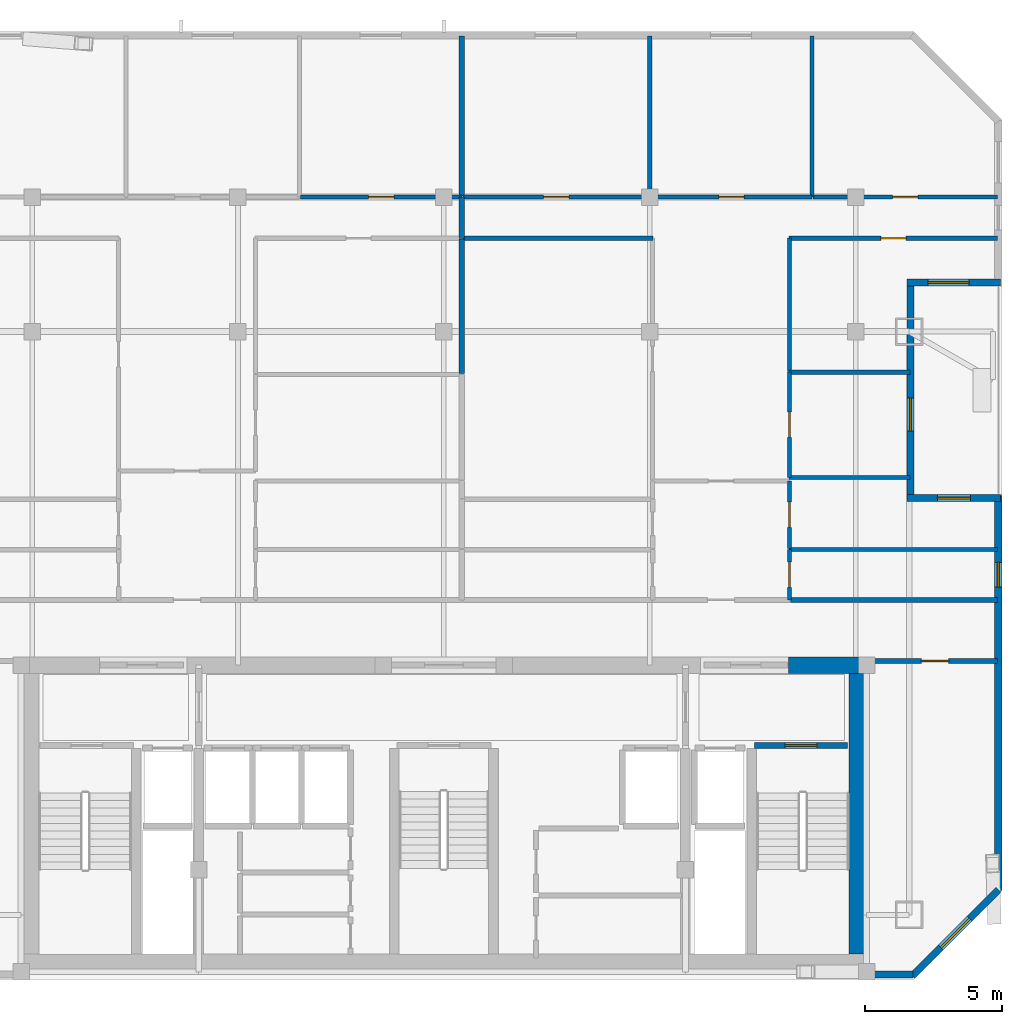
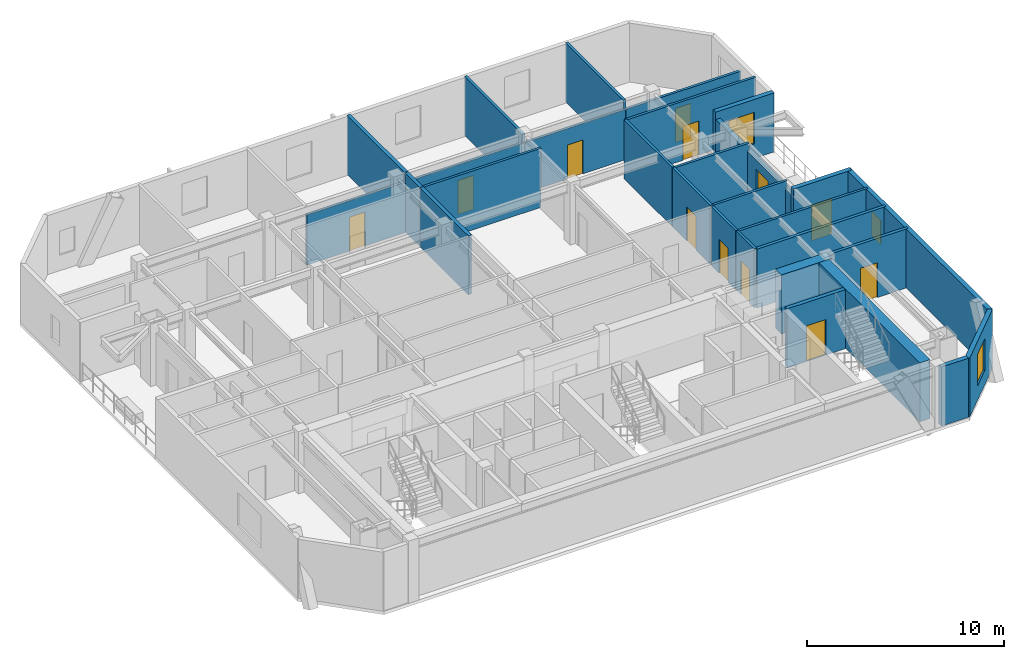
# One storey, part 5 of 8: 29 walls, 11 doors, 4 windows, 15 openings.
"""IFC4 building model written with IfcOpenShell, lengths in metres."""

from ifc_helpers import new_model, si_unit, direction, frame, frame_2d, origin, place, context, subcontext, project, spatial, rectangle, extrude, material, layer, layer_set, type_object, element, fill, save


model = new_model("IFC4")

# Units and contexts
model_context = context("Model", 3, precision=1e-05, world=origin(), true_north=direction((0.0, 1.0)))
body_context = subcontext(model_context, "Body", "Model", "MODEL_VIEW")
ifc_project = project(units=[si_unit("LENGTHUNIT", "METRE"), si_unit("AREAUNIT", "SQUARE_METRE"), si_unit("VOLUMEUNIT", "CUBIC_METRE"), si_unit("PLANEANGLEUNIT", "RADIAN"), si_unit("MASSUNIT", "GRAM", prefix="KILO")], contexts=[model_context])

# Site, building, storey
site_placement = place(None, origin())
site = spatial("IfcSite", under=ifc_project, at=site_placement, CompositionType="ELEMENT")
building_placement = place(site_placement, origin())
building = spatial("IfcBuilding", under=site, at=building_placement, Name="Ventersveld Concourse Tower", CompositionType="ELEMENT")
storey_placement = place(building_placement, frame((0.0, 0.0, 284.89990234375)))
storey = spatial("IfcBuildingStorey", under=building, at=storey_placement, Name="L70", CompositionType="ELEMENT", Elevation=284.89990234375)

# Walls
ifc_material_1 = material(Name="Concrete C50/60", Category="concrete")
ifc_layer_1 = layer(ifc_material_1, 0.60009765625)
ifc_layer_set_1 = layer_set([ifc_layer_1], Name="Concrete C50/60")
wall_type_1 = type_object("IfcWallType", Name="WL-CORE-600", PredefinedType="SHEAR", material=ifc_layer_set_1)
wall_1_placement = place(storey_placement, frame((43.800048828125, 0.919921875, 0.0), z_axis=(0.0, 0.0, 1.0), x_axis=(0.0, 1.0, 0.0)))
element("IfcWall", 1, at=wall_1_placement, inside=storey, type_object=wall_type_1, Name="L70 Rear Core East Shear Wall", PredefinedType="SHEAR", context=body_context, shape_type="SweptSolid", body=[
    extrude(rectangle(XDim=10.530029296875, YDim=0.60009765625, at=frame_2d((5.26513671875, 0.0))), origin(), (0.0, 0.0, 1.0), 3.650146484375),
])
wall_2_placement = place(storey_placement, frame((41.300048828125, 11.449951171875, 0.0), z_axis=(0.0, 0.0, 1.0), x_axis=(1.0, 0.0, 0.0)))
element("IfcWall", 2, at=wall_2_placement, inside=storey, type_object=wall_type_1, Name="L70 Rear Core North Shear Wall NE", PredefinedType="SHEAR", context=body_context, shape_type="SweptSolid", body=[
    extrude(rectangle(XDim=2.949951171875, YDim=0.60009765625, at=frame_2d((1.47509765625, 0.0))), origin(), (0.0, 0.0, 1.0), 3.650146484375),
])

# Wall, opening, door
ifc_material_2 = material(Name="Fire-rated autoclaved aerated masonry blockwork", Category="masonry")
ifc_layer_2 = layer(ifc_material_2, 0.179931640625)
ifc_layer_set_2 = layer_set([ifc_layer_2], Name="Fire-rated autoclaved aerated masonry blockwork")
wall_type_2 = type_object("IfcWallType", Name="WL-CORR-180", PredefinedType="PARTITIONING", material=ifc_layer_set_2)
wall_3_placement = place(storey_placement, frame((44.35498046875, 11.60009765625, 0.0), z_axis=(0.0, 0.0, 1.0), x_axis=(1.0, 0.0, 0.0)))
wall_3 = element("IfcWall", 3, at=wall_3_placement, inside=storey, type_object=wall_type_2, Name="L70 Interior Partition SP-L70-SE-OFF-SP-L70-COR", PredefinedType="PARTITIONING", context=body_context, shape_type="SweptSolid", body=[
    extrude(rectangle(XDim=4.5712890625, YDim=0.179931640625, at=frame_2d((2.28564453125, 0.0))), origin(), (0.0, 0.0, 1.0), 3.650146484375),
])
opening_1_placement = place(wall_3_placement, frame((1.78564453125, 0.0, 0.0)))
opening_1 = element("IfcOpeningElement", 4, at=opening_1_placement, cuts=wall_3, Name="Opening FD3", PredefinedType="OPENING", context=body_context, shape_type="SweptSolid", body=[
    extrude(rectangle(XDim=1.0, YDim=2.14990234375, at=frame_2d((0.5, 1.074951171875))), frame((0.0, 0.10009765625, 0.0), z_axis=(0.0, -1.0, 0.0), x_axis=(1.0, 0.0, 0.0)), (0.0, 0.0, 1.0), 0.199951171875),
])
ifc_material_3 = material(Name="Solid-core hardwood veneer timber", Category="wood")
door_type_1 = type_object("IfcDoorType", Name="DR-FLAT-100", OperationType="NOTDEFINED", PredefinedType="DOOR", material=ifc_material_3)
door_1_placement = place(opening_1_placement, origin())
door_1 = element("IfcDoor", 5, at=door_1_placement, inside=storey, type_object=door_type_1, Name="L70 Interior Door SP-L70-SE-OFF to SP-L70-COR (D-L70-3265)", OperationType="SINGLE_SWING_LEFT", OverallHeight=2.14990234375, OverallWidth=1.0, PredefinedType="DOOR", context=body_context, shape_type="SweptSolid", body=[
    extrude(rectangle(XDim=1.0, YDim=2.14990234375, at=frame_2d((0.5, 1.074951171875))), frame((0.0, 0.02490234375, 0.0), z_axis=(0.0, -1.0, 0.0), x_axis=(1.0, 0.0, 0.0)), (0.0, 0.0, 1.0), 0.050048828125),
])
fill(opening_1, door_1)

# Walls
wall_4_placement = place(storey_placement, frame((41.3701171875, 13.830078125, 0.0), z_axis=(0.0, 0.0, 1.0), x_axis=(1.0, 0.0, 0.0)))
element("IfcWall", 6, at=wall_4_placement, inside=storey, type_object=wall_type_2, Name="L70 Interior Partition SP-L70-COR-SP-L70-70N2-KIT", PredefinedType="PARTITIONING", context=body_context, shape_type="SweptSolid", body=[
    extrude(rectangle(XDim=7.55615234375, YDim=0.179931640625, at=frame_2d((3.778076171875, 0.0))), origin(), (0.0, 0.0, 1.0), 3.650146484375),
])
ifc_layer_3 = layer(ifc_material_2, 0.199951171875)
ifc_layer_set_3 = layer_set([ifc_layer_3], Name="Fire-rated autoclaved aerated masonry blockwork")
wall_type_3 = type_object("IfcWallType", Name="WL-DEMISE-200", PredefinedType="PARTITIONING", material=ifc_layer_set_3)
wall_5_placement = place(storey_placement, frame((29.404541015625, 26.9951171875, 0.0), z_axis=(0.0, 0.0, 1.0), x_axis=(0.0, 1.0, 0.0)))
element("IfcWall", 7, at=wall_5_placement, inside=storey, type_object=wall_type_3, Name="L70 Interior Partition SP-L70-70N1-LIV-SP-L70-70N2-LIV", PredefinedType="PARTITIONING", context=body_context, shape_type="SweptSolid", body=[
    extrude(rectangle(XDim=1.509765625, YDim=0.199951171875, at=frame_2d((0.7548828125, 0.0))), origin(), (0.0, 0.0, 1.0), 3.650146484375),
])
wall_6_placement = place(storey_placement, frame((29.404541015625, 22.076171875, 0.0), z_axis=(0.0, 0.0, 1.0), x_axis=(0.0, 1.0, 0.0)))
element("IfcWall", 8, at=wall_6_placement, inside=storey, type_object=wall_type_3, Name="L70 Interior Partition SP-L70-70N1-DENS2-SP-L70-70N2-OFFL0", PredefinedType="PARTITIONING", context=body_context, shape_type="SweptSolid", body=[
    extrude(rectangle(XDim=4.888916015625, YDim=0.199951171875, at=frame_2d((2.4443359375, 0.0))), origin(), (0.0, 0.0, 1.0), 3.650146484375),
])
wall_7_placement = place(storey_placement, frame((29.404541015625, 28.534912109375, 0.0), z_axis=(0.0, 0.0, 1.0), x_axis=(0.0, 1.0, 0.0)))
element("IfcWall", 9, at=wall_7_placement, inside=storey, type_object=wall_type_3, Name="L70 Interior Partition SP-L70-70N1-BR3-SP-L70-70N2-BR1", PredefinedType="PARTITIONING", context=body_context, shape_type="SweptSolid", body=[
    extrude(rectangle(XDim=5.842529296875, YDim=0.199951171875, at=frame_2d((2.92138671875, 0.0))), origin(), (0.0, 0.0, 1.0), 3.650146484375),
])

# Wall, opening, door
ifc_layer_4 = layer(ifc_material_2, 0.219970703125)
ifc_layer_set_4 = layer_set([ifc_layer_4], Name="Fire-rated autoclaved aerated masonry blockwork")
wall_type_4 = type_object("IfcWallType", Name="WL-HOIST-220", PredefinedType="SOLIDWALL", material=ifc_layer_set_4)
wall_8_placement = place(storey_placement, frame((40.06005859375, 8.52001953125, 0.0), z_axis=(0.0, 0.0, 1.0), x_axis=(1.0, 0.0, 0.0)))
wall_8 = element("IfcWall", 10, at=wall_8_placement, inside=storey, type_object=wall_type_4, Name="L70 Escape Stair ST02 Fire Wall", PredefinedType="SOLIDWALL", context=body_context, shape_type="SweptSolid", body=[
    extrude(rectangle(XDim=3.39990234375, YDim=0.219970703125, at=frame_2d((1.699951171875, 0.0))), origin(), (0.0, 0.0, 1.0), 3.650146484375),
])
opening_2_placement = place(wall_8_placement, frame((1.125, 0.0, 0.0)))
opening_2 = element("IfcOpeningElement", 11, at=opening_2_placement, cuts=wall_8, Name="Opening FD1", PredefinedType="OPENING", context=body_context, shape_type="SweptSolid", body=[
    extrude(rectangle(XDim=1.14990234375, YDim=2.199951171875, at=frame_2d((0.574951171875, 1.10009765625))), frame((0.0, 0.1201171875, 0.0), z_axis=(0.0, -1.0, 0.0), x_axis=(1.0, 0.0, 0.0)), (0.0, 0.0, 1.0), 0.239990234375),
])
ifc_material_4 = material(Name="Galvanised painted steel", Category="steel")
door_type_2 = type_object("IfcDoorType", Name="DR-STAIR-115", OperationType="NOTDEFINED", PredefinedType="DOOR", material=ifc_material_4)
door_2_placement = place(opening_2_placement, origin())
door_2 = element("IfcDoor", 12, at=door_2_placement, inside=storey, type_object=door_type_2, Name="L70 Escape Stair Door ST02 (SD-L70-3252)", OperationType="SINGLE_SWING_RIGHT", OverallHeight=2.199951171875, OverallWidth=1.14990234375, PredefinedType="DOOR", context=body_context, shape_type="SweptSolid", body=[
    extrude(rectangle(XDim=1.14990234375, YDim=2.199951171875, at=frame_2d((0.574951171875, 1.10009765625))), frame((0.0, 0.02490234375, 0.0), z_axis=(0.0, -1.0, 0.0), x_axis=(1.0, 0.0, 0.0)), (0.0, 0.0, 1.0), 0.050048828125),
])
fill(opening_2, door_2)

ifc_material_5 = material(Name="Autoclaved aerated masonry blockwork", Category="masonry")
ifc_layer_5 = layer(ifc_material_5, 0.14990234375)
ifc_layer_set_5 = layer_set([ifc_layer_5], Name="Autoclaved aerated masonry blockwork")
wall_type_5 = type_object("IfcWallType", Name="WL-INT-150", PredefinedType="PARTITIONING", material=ifc_layer_set_5)
wall_9_placement = place(storey_placement, frame((23.528076171875, 28.5, 0.0), z_axis=(0.0, 0.0, 1.0), x_axis=(1.0, 0.0, 0.0)))
wall_9 = element("IfcWall", 13, at=wall_9_placement, inside=storey, type_object=wall_type_5, Name="L70 Interior Partition SP-L70-70N1-LIV-SP-L70-70N1-BR3", PredefinedType="PARTITIONING", context=body_context, shape_type="SweptSolid", body=[
    extrude(rectangle(XDim=5.88134765625, YDim=0.14990234375, at=frame_2d((2.940673828125, 0.0))), origin(), (0.0, 0.0, 1.0), 3.116943359375),
])
opening_3_placement = place(wall_9_placement, frame((2.480712890625, 0.0, 0.0)))
opening_3 = element("IfcOpeningElement", 14, at=opening_3_placement, cuts=wall_9, Name="Opening ID1", PredefinedType="OPENING", context=body_context, shape_type="SweptSolid", body=[
    extrude(rectangle(XDim=0.919921875, YDim=2.10009765625, at=frame_2d((0.4599609375, 1.050048828125))), frame((0.0, 0.0849609375, 0.0), z_axis=(0.0, -1.0, 0.0), x_axis=(1.0, 0.0, 0.0)), (0.0, 0.0, 1.0), 0.169921875),
])
door_type_3 = type_object("IfcDoorType", Name="DR-ROOM-092", OperationType="NOTDEFINED", PredefinedType="DOOR", material=ifc_material_3)
door_3_placement = place(opening_3_placement, origin())
door_3 = element("IfcDoor", 15, at=door_3_placement, inside=storey, type_object=door_type_3, Name="L70 Interior Door SP-L70-70N1-LIV to SP-L70-70N1-BR3 (D-L70-3278)", OperationType="SINGLE_SWING_RIGHT", OverallHeight=2.10009765625, OverallWidth=0.919921875, PredefinedType="DOOR", context=body_context, shape_type="SweptSolid", body=[
    extrude(rectangle(XDim=0.919921875, YDim=2.10009765625, at=frame_2d((0.4599609375, 1.050048828125))), frame((0.0, 0.02490234375, 0.0), z_axis=(0.0, -1.0, 0.0), x_axis=(1.0, 0.0, 0.0)), (0.0, 0.0, 1.0), 0.050048828125),
])
fill(opening_3, door_3)

wall_10_placement = place(storey_placement, frame((41.335205078125, 13.824951171875, 0.0), z_axis=(0.0, 0.0, 1.0), x_axis=(0.0, 1.0, 0.0)))
wall_10 = element("IfcWall", 16, at=wall_10_placement, inside=storey, type_object=wall_type_5, Name="L70 Interior Partition SP-L70-70N2-FOY-SP-L70-70N2-KIT", PredefinedType="PARTITIONING", context=body_context, shape_type="SweptSolid", body=[
    extrude(rectangle(XDim=1.840087890625, YDim=0.14990234375, at=frame_2d((0.919921875, 0.0))), origin(), (0.0, 0.0, 1.0), 3.650146484375),
])
opening_4_placement = place(wall_10_placement, frame((0.4599609375, 0.0, 0.0)))
opening_4 = element("IfcOpeningElement", 17, at=opening_4_placement, cuts=wall_10, Name="Opening ID1", PredefinedType="OPENING", context=body_context, shape_type="SweptSolid", body=[
    extrude(rectangle(XDim=0.919921875, YDim=2.10009765625, at=frame_2d((0.4599609375, 1.050048828125))), frame((0.0, 0.0849609375, 0.0), z_axis=(0.0, -1.0, 0.0), x_axis=(1.0, 0.0, 0.0)), (0.0, 0.0, 1.0), 0.169921875),
])
door_4_placement = place(opening_4_placement, origin())
door_4 = element("IfcDoor", 18, at=door_4_placement, inside=storey, type_object=door_type_3, Name="L70 Interior Door SP-L70-70N2-FOY to SP-L70-70N2-KIT (D-L70-3282)", OperationType="SINGLE_SWING_RIGHT", OverallHeight=2.10009765625, OverallWidth=0.919921875, PredefinedType="DOOR", context=body_context, shape_type="SweptSolid", body=[
    extrude(rectangle(XDim=0.919921875, YDim=2.10009765625, at=frame_2d((0.4599609375, 1.050048828125))), frame((0.0, 0.02490234375, 0.0), z_axis=(0.0, -1.0, 0.0), x_axis=(1.0, 0.0, 0.0)), (0.0, 0.0, 1.0), 0.050048828125),
])
fill(opening_4, door_4)

wall_11_placement = place(storey_placement, frame((41.335205078125, 15.695068359375, 0.0), z_axis=(0.0, 0.0, 1.0), x_axis=(0.0, 1.0, 0.0)))
wall_11 = element("IfcWall", 19, at=wall_11_placement, inside=storey, type_object=wall_type_5, Name="L70 Interior Partition SP-L70-70N2-FOY-SP-L70-70N2-SEMR1", PredefinedType="PARTITIONING", context=body_context, shape_type="SweptSolid", body=[
    extrude(rectangle(XDim=2.466064453125, YDim=0.14990234375, at=frame_2d((1.23291015625, 0.0))), origin(), (0.0, 0.0, 1.0), 3.650146484375),
])
opening_5_placement = place(wall_11_placement, frame((0.773193359375, 0.0, 0.0)))
opening_5 = element("IfcOpeningElement", 20, at=opening_5_placement, cuts=wall_11, Name="Opening ID1", PredefinedType="OPENING", context=body_context, shape_type="SweptSolid", body=[
    extrude(rectangle(XDim=0.919921875, YDim=2.10009765625, at=frame_2d((0.4599609375, 1.050048828125))), frame((0.0, 0.0849609375, 0.0), z_axis=(0.0, -1.0, 0.0), x_axis=(1.0, 0.0, 0.0)), (0.0, 0.0, 1.0), 0.169921875),
])
door_5_placement = place(opening_5_placement, origin())
door_5 = element("IfcDoor", 21, at=door_5_placement, inside=storey, type_object=door_type_3, Name="L70 Interior Door SP-L70-70N2-FOY to SP-L70-70N2-SEMR1 (D-L70-3283)", OperationType="SINGLE_SWING_LEFT", OverallHeight=2.10009765625, OverallWidth=0.919921875, PredefinedType="DOOR", context=body_context, shape_type="SweptSolid", body=[
    extrude(rectangle(XDim=0.919921875, YDim=2.10009765625, at=frame_2d((0.4599609375, 1.050048828125))), frame((0.0, 0.02490234375, 0.0), z_axis=(0.0, -1.0, 0.0), x_axis=(1.0, 0.0, 0.0)), (0.0, 0.0, 1.0), 0.050048828125),
])
fill(opening_5, door_5)

# Wall
wall_12_placement = place(storey_placement, frame((29.439453125, 27.0, 0.0), z_axis=(0.0, 0.0, 1.0), x_axis=(1.0, 0.0, 0.0)))
element("IfcWall", 22, at=wall_12_placement, inside=storey, type_object=wall_type_5, Name="L70 Interior Partition SP-L70-70N2-LIV-SP-L70-70N2-OFFL0", PredefinedType="PARTITIONING", context=body_context, shape_type="SweptSolid", body=[
    extrude(rectangle(XDim=6.920654296875, YDim=0.14990234375, at=frame_2d((3.46044921875, 0.0))), origin(), (0.0, 0.0, 1.0), 3.650146484375),
])

# Wall, opening, door
wall_13_placement = place(storey_placement, frame((41.335205078125, 18.2822265625, 0.0), z_axis=(0.0, 0.0, 1.0), x_axis=(0.0, 1.0, 0.0)))
wall_13 = element("IfcWall", 23, at=wall_13_placement, inside=storey, type_object=wall_type_5, Name="L70 Interior Partition SP-L70-70N2-LIV-SP-L70-70N2-DENS", PredefinedType="PARTITIONING", context=body_context, shape_type="SweptSolid", body=[
    extrude(rectangle(XDim=3.841552734375, YDim=0.14990234375, at=frame_2d((1.9208984375, 0.0))), origin(), (0.0, 0.0, 1.0), 3.650146484375),
])
opening_6_placement = place(wall_13_placement, frame((1.460693359375, 0.0, 0.0)))
opening_6 = element("IfcOpeningElement", 24, at=opening_6_placement, cuts=wall_13, Name="Opening ID1", PredefinedType="OPENING", context=body_context, shape_type="SweptSolid", body=[
    extrude(rectangle(XDim=0.919921875, YDim=2.10009765625, at=frame_2d((0.4599609375, 1.050048828125))), frame((0.0, 0.0849609375, 0.0), z_axis=(0.0, -1.0, 0.0), x_axis=(1.0, 0.0, 0.0)), (0.0, 0.0, 1.0), 0.169921875),
])
door_6_placement = place(opening_6_placement, origin())
door_6 = element("IfcDoor", 25, at=door_6_placement, inside=storey, type_object=door_type_3, Name="L70 Interior Door SP-L70-70N2-LIV to SP-L70-70N2-DENS (D-L70-3285)", OperationType="SINGLE_SWING_LEFT", OverallHeight=2.10009765625, OverallWidth=0.919921875, PredefinedType="DOOR", context=body_context, shape_type="SweptSolid", body=[
    extrude(rectangle(XDim=0.919921875, YDim=2.10009765625, at=frame_2d((0.4599609375, 1.050048828125))), frame((0.0, 0.02490234375, 0.0), z_axis=(0.0, -1.0, 0.0), x_axis=(1.0, 0.0, 0.0)), (0.0, 0.0, 1.0), 0.050048828125),
])
fill(opening_6, door_6)

wall_14_placement = place(storey_placement, frame((41.330078125, 27.0, 0.0), z_axis=(0.0, 0.0, 1.0), x_axis=(1.0, 0.0, 0.0)))
wall_14 = element("IfcWall", 26, at=wall_14_placement, inside=storey, type_object=wall_type_5, Name="L70 Interior Partition SP-L70-70N2-LIV-SP-L70-70N2-DENS2", PredefinedType="PARTITIONING", context=body_context, shape_type="SweptSolid", body=[
    extrude(rectangle(XDim=7.59619140625, YDim=0.14990234375, at=frame_2d((3.798095703125, 0.0))), origin(), (0.0, 0.0, 1.0), 3.650146484375),
])
opening_7_placement = place(wall_14_placement, frame((3.338134765625, 0.0, 0.0)))
opening_7 = element("IfcOpeningElement", 27, at=opening_7_placement, cuts=wall_14, Name="Opening ID1", PredefinedType="OPENING", context=body_context, shape_type="SweptSolid", body=[
    extrude(rectangle(XDim=0.919921875, YDim=2.10009765625, at=frame_2d((0.4599609375, 1.050048828125))), frame((0.0, 0.0849609375, 0.0), z_axis=(0.0, -1.0, 0.0), x_axis=(1.0, 0.0, 0.0)), (0.0, 0.0, 1.0), 0.169921875),
])
door_7_placement = place(opening_7_placement, origin())
door_7 = element("IfcDoor", 28, at=door_7_placement, inside=storey, type_object=door_type_3, Name="L70 Interior Door SP-L70-70N2-LIV to SP-L70-70N2-DENS2 (D-L70-3286)", OperationType="SINGLE_SWING_RIGHT", OverallHeight=2.10009765625, OverallWidth=0.919921875, PredefinedType="DOOR", context=body_context, shape_type="SweptSolid", body=[
    extrude(rectangle(XDim=0.919921875, YDim=2.10009765625, at=frame_2d((0.4599609375, 1.050048828125))), frame((0.0, 0.02490234375, 0.0), z_axis=(0.0, -1.0, 0.0), x_axis=(1.0, 0.0, 0.0)), (0.0, 0.0, 1.0), 0.050048828125),
])
fill(opening_7, door_7)

# Wall
wall_15_placement = place(storey_placement, frame((41.335205078125, 22.15380859375, 0.0), z_axis=(0.0, 0.0, 1.0), x_axis=(0.0, 1.0, 0.0)))
element("IfcWall", 29, at=wall_15_placement, inside=storey, type_object=wall_type_5, Name="L70 Interior Partition SP-L70-70N2-LIV-SP-L70-70N2-DENS2", PredefinedType="PARTITIONING", context=body_context, shape_type="SweptSolid", body=[
    extrude(rectangle(XDim=4.85107421875, YDim=0.14990234375, at=frame_2d((2.425537109375, 0.0))), origin(), (0.0, 0.0, 1.0), 3.650146484375),
])

# Wall, opening, door
wall_16_placement = place(storey_placement, frame((29.439453125, 28.5, 0.0), z_axis=(0.0, 0.0, 1.0), x_axis=(1.0, 0.0, 0.0)))
wall_16 = element("IfcWall", 30, at=wall_16_placement, inside=storey, type_object=wall_type_5, Name="L70 Interior Partition SP-L70-70N2-LIV-SP-L70-70N2-BR1", PredefinedType="PARTITIONING", context=body_context, shape_type="SweptSolid", body=[
    extrude(rectangle(XDim=6.8154296875, YDim=0.14990234375, at=frame_2d((3.40771484375, 0.0))), origin(), (0.0, 0.0, 1.0), 3.116943359375),
])
opening_8_placement = place(wall_16_placement, frame((2.94775390625, 0.0, 0.0)))
opening_8 = element("IfcOpeningElement", 31, at=opening_8_placement, cuts=wall_16, Name="Opening ID1", PredefinedType="OPENING", context=body_context, shape_type="SweptSolid", body=[
    extrude(rectangle(XDim=0.919921875, YDim=2.10009765625, at=frame_2d((0.4599609375, 1.050048828125))), frame((0.0, 0.0849609375, 0.0), z_axis=(0.0, -1.0, 0.0), x_axis=(1.0, 0.0, 0.0)), (0.0, 0.0, 1.0), 0.169921875),
])
door_8_placement = place(opening_8_placement, origin())
door_8 = element("IfcDoor", 32, at=door_8_placement, inside=storey, type_object=door_type_3, Name="L70 Interior Door SP-L70-70N2-LIV to SP-L70-70N2-BR1 (D-L70-3287)", OperationType="SINGLE_SWING_LEFT", OverallHeight=2.10009765625, OverallWidth=0.919921875, PredefinedType="DOOR", context=body_context, shape_type="SweptSolid", body=[
    extrude(rectangle(XDim=0.919921875, YDim=2.10009765625, at=frame_2d((0.4599609375, 1.050048828125))), frame((0.0, 0.02490234375, 0.0), z_axis=(0.0, -1.0, 0.0), x_axis=(1.0, 0.0, 0.0)), (0.0, 0.0, 1.0), 0.050048828125),
])
fill(opening_8, door_8)

wall_17_placement = place(storey_placement, frame((36.284912109375, 28.5, 0.0), z_axis=(0.0, 0.0, 1.0), x_axis=(1.0, 0.0, 0.0)))
wall_17 = element("IfcWall", 33, at=wall_17_placement, inside=storey, type_object=wall_type_5, Name="L70 Interior Partition SP-L70-70N2-LIV-SP-L70-70N2-BR2", PredefinedType="PARTITIONING", context=body_context, shape_type="SweptSolid", body=[
    extrude(rectangle(XDim=5.8818359375, YDim=0.14990234375, at=frame_2d((2.94091796875, 0.0))), origin(), (0.0, 0.0, 1.0), 3.116943359375),
])
opening_9_placement = place(wall_17_placement, frame((2.480712890625, 0.0, 0.0)))
opening_9 = element("IfcOpeningElement", 34, at=opening_9_placement, cuts=wall_17, Name="Opening ID1", PredefinedType="OPENING", context=body_context, shape_type="SweptSolid", body=[
    extrude(rectangle(XDim=0.919921875, YDim=2.10009765625, at=frame_2d((0.4599609375, 1.050048828125))), frame((0.0, 0.0849609375, 0.0), z_axis=(0.0, -1.0, 0.0), x_axis=(1.0, 0.0, 0.0)), (0.0, 0.0, 1.0), 0.169921875),
])
door_9_placement = place(opening_9_placement, origin())
door_9 = element("IfcDoor", 35, at=door_9_placement, inside=storey, type_object=door_type_3, Name="L70 Interior Door SP-L70-70N2-LIV to SP-L70-70N2-BR2 (D-L70-3288)", OperationType="SINGLE_SWING_RIGHT", OverallHeight=2.10009765625, OverallWidth=0.919921875, PredefinedType="DOOR", context=body_context, shape_type="SweptSolid", body=[
    extrude(rectangle(XDim=0.919921875, YDim=2.10009765625, at=frame_2d((0.4599609375, 1.050048828125))), frame((0.0, 0.02490234375, 0.0), z_axis=(0.0, -1.0, 0.0), x_axis=(1.0, 0.0, 0.0)), (0.0, 0.0, 1.0), 0.050048828125),
])
fill(opening_9, door_9)

wall_18_placement = place(storey_placement, frame((42.19677734375, 28.5, 0.0), z_axis=(0.0, 0.0, 1.0), x_axis=(1.0, 0.0, 0.0)))
wall_18 = element("IfcWall", 36, at=wall_18_placement, inside=storey, type_object=wall_type_5, Name="L70 Interior Partition SP-L70-70N2-LIV-SP-L70-70N2-BR3", PredefinedType="PARTITIONING", context=body_context, shape_type="SweptSolid", body=[
    extrude(rectangle(XDim=6.7294921875, YDim=0.14990234375, at=frame_2d((3.36474609375, 0.0))), origin(), (0.0, 0.0, 1.0), 3.116943359375),
])
opening_10_placement = place(wall_18_placement, frame((2.90478515625, 0.0, 0.0)))
opening_10 = element("IfcOpeningElement", 37, at=opening_10_placement, cuts=wall_18, Name="Opening ID1", PredefinedType="OPENING", context=body_context, shape_type="SweptSolid", body=[
    extrude(rectangle(XDim=0.919921875, YDim=2.10009765625, at=frame_2d((0.4599609375, 1.050048828125))), frame((0.0, 0.0849609375, 0.0), z_axis=(0.0, -1.0, 0.0), x_axis=(1.0, 0.0, 0.0)), (0.0, 0.0, 1.0), 0.169921875),
])
door_10_placement = place(opening_10_placement, origin())
door_10 = element("IfcDoor", 38, at=door_10_placement, inside=storey, type_object=door_type_3, Name="L70 Interior Door SP-L70-70N2-LIV to SP-L70-70N2-BR3 (D-L70-3289)", OperationType="SINGLE_SWING_LEFT", OverallHeight=2.10009765625, OverallWidth=0.919921875, PredefinedType="DOOR", context=body_context, shape_type="SweptSolid", body=[
    extrude(rectangle(XDim=0.919921875, YDim=2.10009765625, at=frame_2d((0.4599609375, 1.050048828125))), frame((0.0, 0.02490234375, 0.0), z_axis=(0.0, -1.0, 0.0), x_axis=(1.0, 0.0, 0.0)), (0.0, 0.0, 1.0), 0.050048828125),
])
fill(opening_10, door_10)

# Walls
wall_19_placement = place(storey_placement, frame((41.330078125, 15.659912109375, 0.0), z_axis=(0.0, 0.0, 1.0), x_axis=(1.0, 0.0, 0.0)))
element("IfcWall", 39, at=wall_19_placement, inside=storey, type_object=wall_type_5, Name="L70 Interior Partition SP-L70-70N2-KIT-SP-L70-70N2-SEMR1", PredefinedType="PARTITIONING", context=body_context, shape_type="SweptSolid", body=[
    extrude(rectangle(XDim=7.59619140625, YDim=0.14990234375, at=frame_2d((3.798095703125, 0.0))), origin(), (0.0, 0.0, 1.0), 3.650146484375),
])
for number, where, z_axis, x_axis, name in (
    (40, (41.330078125, 18.287109375, 0.0), (0.0, 0.0, 1.0), (1.0, 0.0, 0.0), "L70 Interior Partition SP-L70-70N2-SEMR1-SP-L70-70N2-DENS"),
    (41, (41.330078125, 22.11865234375, 0.0), (0.0, 0.0, 1.0), (1.0, 0.0, 0.0), "L70 Interior Partition SP-L70-70N2-DENS-SP-L70-70N2-DENS2"),
):
    element("IfcWall", number, at=place(storey_placement, frame(where, z_axis=z_axis, x_axis=x_axis)), inside=storey, type_object=wall_type_5, Name=name, PredefinedType="PARTITIONING", context=body_context, shape_type="SweptSolid", body=[
        extrude(rectangle(XDim=4.396240234375, YDim=0.14990234375, at=frame_2d((2.1982421875, 0.0))), origin(), (0.0, 0.0, 1.0), 3.650146484375),
    ])
for number, where, z_axis, x_axis, name in (
    (42, (36.25, 28.4951171875, 0.0), (0.0, 0.0, 1.0), (0.0, 1.0, 0.0), "L70 Interior Partition SP-L70-70N2-BR1-SP-L70-70N2-BR2"),
    (43, (42.16162109375, 28.4951171875, 0.0), (0.0, 0.0, 1.0), (0.0, 1.0, 0.0), "L70 Interior Partition SP-L70-70N2-BR2-SP-L70-70N2-BR3"),
):
    element("IfcWall", number, at=place(storey_placement, frame(where, z_axis=z_axis, x_axis=x_axis)), inside=storey, type_object=wall_type_5, Name=name, PredefinedType="PARTITIONING", context=body_context, shape_type="SweptSolid", body=[
        extrude(rectangle(XDim=5.88232421875, YDim=0.14990234375, at=frame_2d((2.941162109375, 0.0))), origin(), (0.0, 0.0, 1.0), 3.650146484375),
    ])
ifc_material_6 = material(Name="Precast concrete C45/55", Category="concrete")
ifc_layer_6 = layer(ifc_material_6, 0.260009765625)
ifc_layer_set_6 = layer_set([ifc_layer_6], Name="Precast concrete C45/55")
wall_type_6 = type_object("IfcWallType", Name="WL-PREC-260", PredefinedType="SOLIDWALL", material=ifc_layer_set_6)
wall_20_placement = place(storey_placement, frame((44.25, 0.179931640625, 0.0), z_axis=(0.0, 0.0, 1.0), x_axis=(1.0, 0.0, 0.0)))
element("IfcWall", 44, at=wall_20_placement, inside=storey, type_object=wall_type_6, Name="L70 South-East Flank Precast Wall", PredefinedType="SOLIDWALL", context=body_context, shape_type="SweptSolid", body=[
    extrude(rectangle(XDim=1.585693359375, YDim=0.260009765625, at=frame_2d((0.79296875, 0.0))), origin(), (0.0, 0.0, 1.0), 3.650146484375),
])

# Wall, opening, window
wall_21_placement = place(storey_placement, frame((45.812255859375, 0.1201171875, 0.0), z_axis=(0.0, 0.0, 1.0), x_axis=(0.707079321262, 0.707134240044, 0.0)))
wall_21 = element("IfcWall", 45, at=wall_21_placement, inside=storey, type_object=wall_type_6, Name="L70 Highveld Precast Facade Wall E02", PredefinedType="SOLIDWALL", context=body_context, shape_type="SweptSolid", body=[
    extrude(rectangle(XDim=4.445556640625, YDim=0.260009765625, at=frame_2d((2.22265625, 0.0))), origin(), (0.0, 0.0, 1.0), 3.650146484375),
])
opening_11_placement = place(wall_21_placement, frame((1.47265625, 0.0, 0.89990234375)))
opening_11 = element("IfcOpeningElement", 46, at=opening_11_placement, cuts=wall_21, Name="Opening W1", PredefinedType="OPENING", context=body_context, shape_type="SweptSolid", body=[
    extrude(rectangle(XDim=1.5, YDim=1.949951171875, at=frame_2d((0.75, 0.97509765625))), frame((0.0, 0.14013671875, 0.0), z_axis=(0.0, -1.0, 0.0), x_axis=(1.0, 0.0, 0.0)), (0.0, 0.0, 1.0), 0.280029296875),
])
ifc_material_7 = material(Name="Tempered acoustic Low-E IGU", Category="glass")
window_type_1 = type_object("IfcWindowType", Name="WIN-150x210", PartitioningType="SINGLE_PANEL", PredefinedType="WINDOW", material=ifc_material_7)
window_1_placement = place(opening_11_placement, origin())
window_1 = element("IfcWindow", 47, at=window_1_placement, inside=storey, type_object=window_type_1, Name="L70 Punched Low-E Window W-0996", OverallHeight=1.949951171875, OverallWidth=1.5, PartitioningType="SINGLE_PANEL", PredefinedType="WINDOW", context=body_context, shape_type="SweptSolid", body=[
    extrude(rectangle(XDim=1.5, YDim=1.949951171875, at=frame_2d((0.75, 0.97509765625))), frame((0.0, 0.030029296875, 0.0), z_axis=(0.0, -1.0, 0.0), x_axis=(1.0, 0.0, 0.0)), (0.0, 0.0, 1.0), 0.06005859375),
])
fill(opening_11, window_1)

wall_22_placement = place(storey_placement, frame((48.94580078125, 3.239990234375, 0.0), z_axis=(0.0, 0.0, 1.0), x_axis=(0.0, 1.0, 0.0)))
wall_22 = element("IfcWall", 48, at=wall_22_placement, inside=storey, type_object=wall_type_6, Name="L70 Highveld Precast Facade Wall E03", PredefinedType="SOLIDWALL", context=body_context, shape_type="SweptSolid", body=[
    extrude(rectangle(XDim=14.38330078125, YDim=0.260009765625, at=frame_2d((7.191650390625, 0.0))), origin(), (0.0, 0.0, 1.0), 3.650146484375),
])
opening_12_placement = place(wall_22_placement, frame((11.054931640625, 0.0, 0.949951171875)))
opening_12 = element("IfcOpeningElement", 49, at=opening_12_placement, cuts=wall_22, Name="Opening W4", PredefinedType="OPENING", context=body_context, shape_type="SweptSolid", body=[
    extrude(rectangle(XDim=0.89990234375, YDim=1.5, at=frame_2d((0.449951171875, 0.75))), frame((0.0, 0.14013671875, 0.0), z_axis=(0.0, -1.0, 0.0), x_axis=(1.0, 0.0, 0.0)), (0.0, 0.0, 1.0), 0.280029296875),
])
window_type_2 = type_object("IfcWindowType", Name="WIN-090x150", PartitioningType="SINGLE_PANEL", PredefinedType="WINDOW", material=ifc_material_7)
window_2_placement = place(opening_12_placement, origin())
window_2 = element("IfcWindow", 50, at=window_2_placement, inside=storey, type_object=window_type_2, Name="L70 Punched Low-E Window W-1003", OverallHeight=1.5, OverallWidth=0.89990234375, PartitioningType="SINGLE_PANEL", PredefinedType="WINDOW", context=body_context, shape_type="SweptSolid", body=[
    extrude(rectangle(XDim=0.89990234375, YDim=1.5, at=frame_2d((0.449951171875, 0.75))), frame((0.0, 0.030029296875, 0.0), z_axis=(0.0, -1.0, 0.0), x_axis=(1.0, 0.0, 0.0)), (0.0, 0.0, 1.0), 0.06005859375),
])
fill(opening_12, window_2)

# Wall, opening, door
wall_23_placement = place(storey_placement, frame((49.035888671875, 17.533447265625, 0.0), z_axis=(0.0, 0.0, 1.0), x_axis=(-1.0, 0.0, 0.0)))
wall_23 = element("IfcWall", 51, at=wall_23_placement, inside=storey, type_object=wall_type_6, Name="L70 Highveld Precast Facade Wall E04", PredefinedType="SOLIDWALL", context=body_context, shape_type="SweptSolid", body=[
    extrude(rectangle(XDim=3.420166015625, YDim=0.260009765625, at=frame_2d((1.7099609375, 0.0))), origin(), (0.0, 0.0, 1.0), 3.650146484375),
])
opening_13_placement = place(wall_23_placement, frame((1.110107421875, 0.0, 0.0)))
opening_13 = element("IfcOpeningElement", 52, at=opening_13_placement, cuts=wall_23, Name="Opening TD1", PredefinedType="OPENING", context=body_context, shape_type="SweptSolid", body=[
    extrude(rectangle(XDim=1.199951171875, YDim=2.199951171875, at=frame_2d((0.60009765625, 1.10009765625))), frame((0.0, 0.14013671875, 0.0), z_axis=(0.0, -1.0, 0.0), x_axis=(1.0, 0.0, 0.0)), (0.0, 0.0, 1.0), 0.280029296875),
])
ifc_material_8 = material(Name="Anodised aluminium EN AW-6063-T6", Category="aluminium")
door_type_4 = type_object("IfcDoorType", Name="DR-TERR-120", OperationType="NOTDEFINED", PredefinedType="DOOR", material=ifc_material_8)
door_11_placement = place(opening_13_placement, frame((1.199951171875, 0.0, 0.0), z_axis=(0.0, 0.0, 1.0), x_axis=(-1.0, 0.0, 0.0)))
door_11 = element("IfcDoor", 53, at=door_11_placement, inside=storey, type_object=door_type_4, Name="L70 Stepped Valley Terrace Door TD-L70-02", OperationType="SINGLE_SWING_RIGHT", OverallHeight=2.199951171875, OverallWidth=1.199951171875, PredefinedType="DOOR", context=body_context, shape_type="SweptSolid", body=[
    extrude(rectangle(XDim=1.199951171875, YDim=2.199951171875, at=frame_2d((0.60009765625, 1.10009765625))), frame((0.0, 0.02490234375, 0.0), z_axis=(0.0, -1.0, 0.0), x_axis=(1.0, 0.0, 0.0)), (0.0, 0.0, 1.0), 0.050048828125),
])
fill(opening_13, door_11)

# Wall, opening, window
wall_24_placement = place(storey_placement, frame((45.745849609375, 17.663330078125, 0.0), z_axis=(0.0, 0.0, 1.0), x_axis=(0.0, 1.0, 0.0)))
wall_24 = element("IfcWall", 54, at=wall_24_placement, inside=storey, type_object=wall_type_6, Name="L70 Highveld Precast Facade Wall E05", PredefinedType="SOLIDWALL", context=body_context, shape_type="SweptSolid", body=[
    extrude(rectangle(XDim=7.60009765625, YDim=0.260009765625, at=frame_2d((3.800048828125, 0.0))), origin(), (0.0, 0.0, 1.0), 3.190185546875),
])
opening_14_placement = place(wall_24_placement, frame((2.309326171875, 0.0, 0.89990234375)))
opening_14 = element("IfcOpeningElement", 55, at=opening_14_placement, cuts=wall_24, Name="Opening W3", PredefinedType="OPENING", context=body_context, shape_type="SweptSolid", body=[
    extrude(rectangle(XDim=1.199951171875, YDim=1.699951171875, at=frame_2d((0.60009765625, 0.85009765625))), frame((0.0, 0.14013671875, 0.0), z_axis=(0.0, -1.0, 0.0), x_axis=(1.0, 0.0, 0.0)), (0.0, 0.0, 1.0), 0.280029296875),
])
window_type_3 = type_object("IfcWindowType", Name="WIN-120x180", PartitioningType="SINGLE_PANEL", PredefinedType="WINDOW", material=ifc_material_7)
window_3_placement = place(opening_14_placement, origin())
window_3 = element("IfcWindow", 56, at=window_3_placement, inside=storey, type_object=window_type_3, Name="L70 Punched Low-E Window W-1004", OverallHeight=1.699951171875, OverallWidth=1.199951171875, PartitioningType="SINGLE_PANEL", PredefinedType="WINDOW", context=body_context, shape_type="SweptSolid", body=[
    extrude(rectangle(XDim=1.199951171875, YDim=1.699951171875, at=frame_2d((0.60009765625, 0.85009765625))), frame((0.0, 0.030029296875, 0.0), z_axis=(0.0, -1.0, 0.0), x_axis=(1.0, 0.0, 0.0)), (0.0, 0.0, 1.0), 0.06005859375),
])
fill(opening_14, window_3)

wall_25_placement = place(storey_placement, frame((45.61572265625, 25.393310546875, 0.0), z_axis=(0.0, 0.0, 1.0), x_axis=(1.0, 0.0, 0.0)))
wall_25 = element("IfcWall", 57, at=wall_25_placement, inside=storey, type_object=wall_type_6, Name="L70 Highveld Precast Facade Wall E06", PredefinedType="SOLIDWALL", context=body_context, shape_type="SweptSolid", body=[
    extrude(rectangle(XDim=3.420166015625, YDim=0.260009765625, at=frame_2d((1.7099609375, 0.0))), origin(), (0.0, 0.0, 1.0), 3.650146484375),
])
opening_15_placement = place(wall_25_placement, frame((0.77001953125, 0.0, 0.89990234375)))
opening_15 = element("IfcOpeningElement", 58, at=opening_15_placement, cuts=wall_25, Name="Opening W1", PredefinedType="OPENING", context=body_context, shape_type="SweptSolid", body=[
    extrude(rectangle(XDim=1.5, YDim=1.949951171875, at=frame_2d((0.75, 0.97509765625))), frame((0.0, 0.14013671875, 0.0), z_axis=(0.0, -1.0, 0.0), x_axis=(1.0, 0.0, 0.0)), (0.0, 0.0, 1.0), 0.280029296875),
])
window_4_placement = place(opening_15_placement, origin())
window_4 = element("IfcWindow", 59, at=window_4_placement, inside=storey, type_object=window_type_1, Name="L70 Punched Low-E Window W-1005", OverallHeight=1.949951171875, OverallWidth=1.5, PartitioningType="SINGLE_PANEL", PredefinedType="WINDOW", context=body_context, shape_type="SweptSolid", body=[
    extrude(rectangle(XDim=1.5, YDim=1.949951171875, at=frame_2d((0.75, 0.97509765625))), frame((0.0, 0.030029296875, 0.0), z_axis=(0.0, -1.0, 0.0), x_axis=(1.0, 0.0, 0.0)), (0.0, 0.0, 1.0), 0.06005859375),
])
fill(opening_15, window_4)

save(model, "model.ifc")
